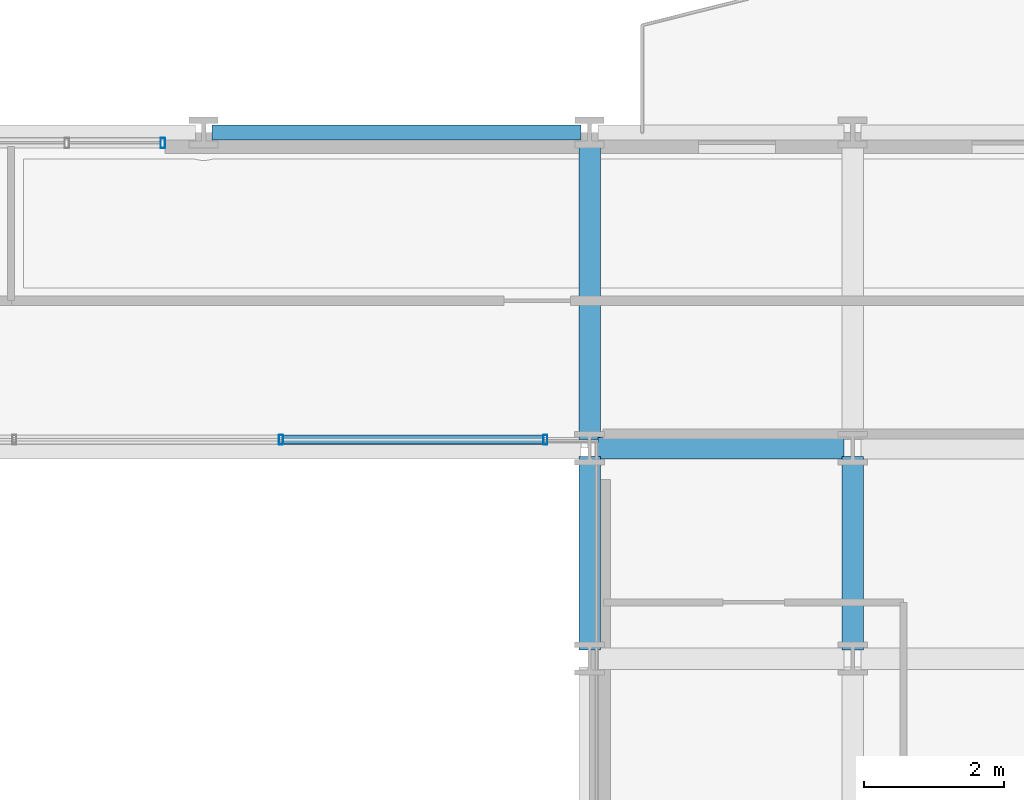
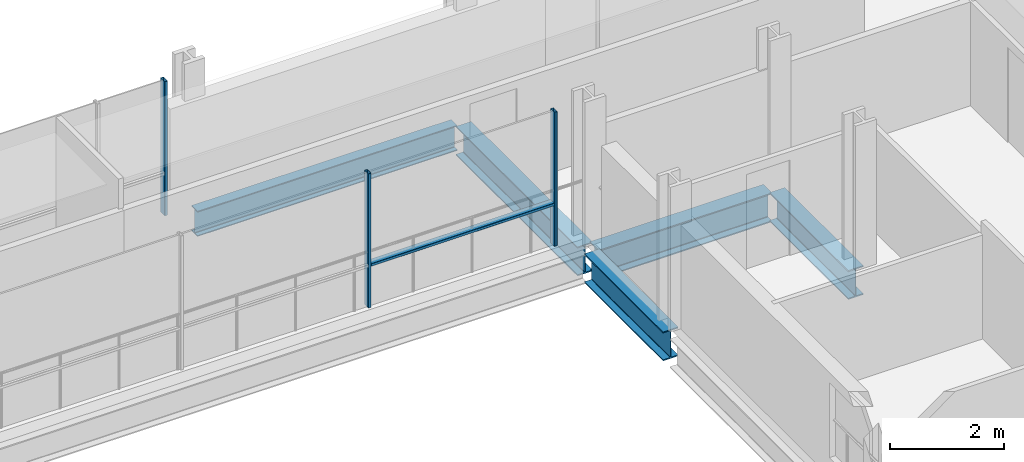
# One storey, part 17 of 39: 5 beams, 4 members, 2 elements without a shape of their own.
"""IFC4 building model written with IfcOpenShell, lengths in metres."""

from ifc_helpers import new_model, si_unit, direction, frame, origin, origin_2d, place, context, subcontext, project, spatial, hollow_rectangle, i_section, extrude, material, layer, layer_set, material_profile, profile_set, type_object, element, aggregate, save


model = new_model("IFC4")

# Units and contexts
model_context = context("Model", 3, precision=1e-05, world=origin(), true_north=direction((0.0, 1.0)))
body_context = subcontext(model_context, "Body", "Model", "MODEL_VIEW")
ifc_project = project(units=[si_unit("LENGTHUNIT", "METRE"), si_unit("AREAUNIT", "SQUARE_METRE"), si_unit("VOLUMEUNIT", "CUBIC_METRE"), si_unit("PLANEANGLEUNIT", "RADIAN"), si_unit("MASSUNIT", "GRAM", prefix="KILO")], contexts=[model_context])

# Site, building, storey
site_placement = place(None, origin())
site = spatial("IfcSite", under=ifc_project, at=site_placement, CompositionType="ELEMENT")
building_placement = place(site_placement, origin())
building = spatial("IfcBuilding", under=site, at=building_placement, Name="Brevholm Reach", CompositionType="ELEMENT")
storey_placement = place(building_placement, frame((0.0, 0.0, 40.39990234375)))
storey = spatial("IfcBuildingStorey", under=building, at=storey_placement, Name="L10", CompositionType="ELEMENT", Elevation=40.39990234375)

# Beams
ifc_material_1 = material(Name="Structural Steel S355J2", Category="steel")
ifc_material_profile_1 = material_profile(ifc_material_1, i_section(OverallWidth=0.210693359375, OverallDepth=0.53955078125, WebThickness=0.01171875, FlangeThickness=0.018798828125, FilletRadius=0.0126953125, at=origin_2d()), Name="UKB 533x210x109")
ifc_profile_set_1 = profile_set([ifc_material_profile_1], Name="Structural Steel S355J2")
beam_type_1 = type_object("IfcBeamType", Name="BM-SP539", PredefinedType="SPANDREL", material=ifc_profile_set_1)
beam_1_placement = place(storey_placement, frame((32.8701171875, 31.0, -0.499755859375), z_axis=(1.0, 0.0, 0.0), x_axis=(0.0, 1.0, 0.0)))
element("IfcBeam", 1, at=beam_1_placement, inside=storey, type_object=beam_type_1, Name="L10 SP-01B Framing Beam", PredefinedType="SPANDREL", context=body_context, shape_type="SweptSolid", body=[
    extrude(i_section(OverallWidth=0.210693359375, OverallDepth=0.53955078125, WebThickness=0.01171875, FlangeThickness=0.018798828125, FilletRadius=0.0126953125, at=origin_2d()), origin(), (0.0, 0.0, 1.0), 5.259765625),
])
ifc_material_2 = material(Name="Structural Steel S355J2", Category="steel")
ifc_material_profile_2 = material_profile(ifc_material_2, i_section(OverallWidth=0.30712890625, OverallDepth=0.6201171875, WebThickness=0.01416015625, FlangeThickness=0.023681640625, FilletRadius=0.0166015625, at=origin_2d()), Name="UKB 610x305x179")
ifc_profile_set_2 = profile_set([ifc_material_profile_2], Name="Structural Steel S355J2")
beam_type_2 = type_object("IfcBeamType", Name="BM-UKB610H", PredefinedType="USERDEFINED", material=ifc_profile_set_2)
beam_2_placement = place(storey_placement, frame((38.3701171875, 26.5, -0.5400390625), z_axis=(1.0, 0.0, 0.0), x_axis=(0.0, 1.0, 0.0)))
element("IfcBeam", 2, at=beam_2_placement, inside=storey, type_object=beam_type_2, Name="L10 G-06 Framing Beam", ObjectType="GIRDER", PredefinedType="USERDEFINED", context=body_context, shape_type="SweptSolid", body=[
    extrude(i_section(OverallWidth=0.30712890625, OverallDepth=0.6201171875, WebThickness=0.01416015625, FlangeThickness=0.023681640625, FilletRadius=0.0166015625, at=origin_2d()), origin(), (0.0, 0.0, 1.0), 3.509765625),
])
beam_3_placement = place(storey_placement, frame((38.25, 23.6201171875, -0.5400390625), z_axis=(0.0, 1.0, 0.0), x_axis=(-1.0, 0.0, 0.0)))
element("IfcBeam", 3, at=beam_3_placement, inside=storey, type_object=beam_type_2, Name="L10 G-06 Framing Beam", ObjectType="GIRDER", PredefinedType="USERDEFINED", context=body_context, shape_type="SweptSolid", body=[
    extrude(i_section(OverallWidth=0.30712890625, OverallDepth=0.6201171875, WebThickness=0.01416015625, FlangeThickness=0.023681640625, FilletRadius=0.0166015625, at=origin_2d()), origin(), (0.0, 0.0, 1.0), 2.759765625),
])
beam_4_placement = place(storey_placement, frame((38.25, 26.6201171875, -0.5400390625), z_axis=(0.0, 1.0, 0.0), x_axis=(-1.0, 0.0, 0.0)))
element("IfcBeam", 4, at=beam_4_placement, inside=storey, type_object=beam_type_2, Name="L10 G-06 Framing Beam", ObjectType="GIRDER", PredefinedType="USERDEFINED", context=body_context, shape_type="SweptSolid", body=[
    extrude(i_section(OverallWidth=0.30712890625, OverallDepth=0.6201171875, WebThickness=0.01416015625, FlangeThickness=0.023681640625, FilletRadius=0.0166015625, at=origin_2d()), origin(), (0.0, 0.0, 1.0), 4.259765625),
])
beam_5_placement = place(storey_placement, frame((42.0, 23.6201171875, -0.5400390625), z_axis=(0.0, 1.0, 0.0), x_axis=(-1.0, 0.0, 0.0)))
element("IfcBeam", 5, at=beam_5_placement, inside=storey, type_object=beam_type_2, Name="L10 G-06 Framing Beam", ObjectType="GIRDER", PredefinedType="USERDEFINED", context=body_context, shape_type="SweptSolid", body=[
    extrude(i_section(OverallWidth=0.30712890625, OverallDepth=0.6201171875, WebThickness=0.01416015625, FlangeThickness=0.023681640625, FilletRadius=0.0166015625, at=origin_2d()), origin(), (0.0, 0.0, 1.0), 2.759765625),
])

# Curtain wall, members
ifc_material_3 = material(Name="Dark Anodised Aluminium 6063-T6 and Solar-Control Glass", Category="aluminium")
ifc_layer_1 = layer(ifc_material_3, 0.139892578125)
ifc_layer_set_1 = layer_set([ifc_layer_1], Name="Dark Anodised Aluminium 6063-T6 and Solar-Control Glass")
curtain_wall_type_1 = type_object("IfcCurtainWallType", Name="CW-02", PredefinedType="NOTDEFINED", material=ifc_layer_set_1)
curtain_wall_1_placement = place(storey_placement, origin())
curtain_wall_1 = element("IfcCurtainWall", 6, at=curtain_wall_1_placement, inside=storey, type_object=curtain_wall_type_1, Name="L10 Curtain Wall CW-02", PredefinedType="NOTDEFINED")
ifc_material_4 = material(Name="Dark Anodised Aluminium 6063-T6", Category="aluminium")
ifc_material_profile_3 = material_profile(ifc_material_4, hollow_rectangle(XDim=0.06005859375, YDim=0.139892578125, WallThickness=0.0048828125, InnerFilletRadius=0.0048828125, OuterFilletRadius=0.010009765625, at=origin_2d()), Name="RHS 140x60x5")
ifc_profile_set_3 = profile_set([ifc_material_profile_3], Name="Dark Anodised Aluminium 6063-T6")
member_type_1 = type_object("IfcMemberType", Name="CWM-140", PredefinedType="MULLION", material=ifc_profile_set_3)
member_1_placement = place(storey_placement, frame((37.6201171875, 26.6201171875, 0.0), z_axis=(0.0, 0.0, 1.0), x_axis=(-1.0, 0.0, 0.0)))
member_1 = element("IfcMember", 7, at=member_1_placement, type_object=member_type_1, Name="CM-140 Mullion 1", PredefinedType="MULLION", context=body_context, shape_type="SweptSolid", body=[
    extrude(hollow_rectangle(XDim=0.06005859375, YDim=0.139892578125, WallThickness=0.0048828125, InnerFilletRadius=0.0048828125, OuterFilletRadius=0.010009765625, at=origin_2d()), origin(), (0.0, 0.0, 1.0), 2.8701171875),
])
member_2_placement = place(storey_placement, frame((33.85009765625, 26.6201171875, 0.0), z_axis=(0.0, 0.0, 1.0), x_axis=(-1.0, 0.0, 0.0)))
member_2 = element("IfcMember", 8, at=member_2_placement, type_object=member_type_1, Name="CM-140 Mullion 2", PredefinedType="MULLION", context=body_context, shape_type="SweptSolid", body=[
    extrude(hollow_rectangle(XDim=0.06005859375, YDim=0.139892578125, WallThickness=0.0048828125, InnerFilletRadius=0.0048828125, OuterFilletRadius=0.010009765625, at=origin_2d()), origin(), (0.0, 0.0, 1.0), 2.8701171875),
])

# Curtain wall, member
ifc_material_5 = material(Name="Dark Anodised Aluminium 6063-T6 and Solar-Control Glass", Category="aluminium")
ifc_layer_2 = layer(ifc_material_5, 0.14990234375)
ifc_layer_set_2 = layer_set([ifc_layer_2], Name="Dark Anodised Aluminium 6063-T6 and Solar-Control Glass")
curtain_wall_type_2 = type_object("IfcCurtainWallType", Name="CW-01", PredefinedType="NOTDEFINED", material=ifc_layer_set_2)
curtain_wall_2_placement = place(storey_placement, origin())
curtain_wall_2 = element("IfcCurtainWall", 9, at=curtain_wall_2_placement, inside=storey, type_object=curtain_wall_type_2, Name="L10 Curtain Wall CW-01", PredefinedType="NOTDEFINED")
ifc_material_6 = material(Name="Dark Anodised Aluminium 6063-T6", Category="aluminium")
ifc_material_profile_4 = material_profile(ifc_material_6, hollow_rectangle(XDim=0.06494140625, YDim=0.14990234375, WallThickness=0.0048828125, InnerFilletRadius=0.0048828125, OuterFilletRadius=0.010009765625, at=origin_2d()), Name="RHS 150x65x5")
ifc_profile_set_4 = profile_set([ifc_material_profile_4], Name="Dark Anodised Aluminium 6063-T6")
member_type_2 = type_object("IfcMemberType", Name="CWM-150", PredefinedType="MULLION", material=ifc_profile_set_4)
member_3_placement = place(storey_placement, frame((32.16748046875, 30.85009765625, 0.0), z_axis=(0.0, 0.0, 1.0), x_axis=(1.0, 0.0, 0.0)))
member_3 = element("IfcMember", 10, at=member_3_placement, type_object=member_type_2, Name="CM-150 Mullion 3", PredefinedType="MULLION", context=body_context, shape_type="SweptSolid", body=[
    extrude(hollow_rectangle(XDim=0.06494140625, YDim=0.14990234375, WallThickness=0.0048828125, InnerFilletRadius=0.0048828125, OuterFilletRadius=0.010009765625, at=origin_2d()), origin(), (0.0, 0.0, 1.0), 2.8701171875),
])
aggregate(curtain_wall_2, [member_3])

# Member
ifc_material_7 = material(Name="Dark Anodised Aluminium 6063-T6", Category="aluminium")
ifc_material_profile_5 = material_profile(ifc_material_7, hollow_rectangle(XDim=0.06005859375, YDim=0.139892578125, WallThickness=0.0048828125, InnerFilletRadius=0.0048828125, OuterFilletRadius=0.010009765625, at=origin_2d()), Name="RHS 140x60x5")
ifc_profile_set_5 = profile_set([ifc_material_profile_5], Name="Dark Anodised Aluminium 6063-T6")
member_type_3 = type_object("IfcMemberType", Name="CWT-140", PredefinedType="NOTDEFINED", material=ifc_profile_set_5)
member_4_placement = place(storey_placement, frame((37.590087890625, 26.6201171875, 0.900146484375), z_axis=(-1.0, 0.0, 0.0), x_axis=(0.0, 0.0, 1.0)))
member_4 = element("IfcMember", 11, at=member_4_placement, type_object=member_type_3, Name="CT-140 Transom 1.1", ObjectType="TRANSOM", PredefinedType="USERDEFINED", context=body_context, shape_type="SweptSolid", body=[
    extrude(hollow_rectangle(XDim=0.06005859375, YDim=0.139892578125, WallThickness=0.0048828125, InnerFilletRadius=0.0048828125, OuterFilletRadius=0.010009765625, at=origin_2d()), origin(), (0.0, 0.0, 1.0), 3.710205078125),
])

aggregate(curtain_wall_1, [member_1, member_2, member_4])

save(model, "model.ifc")
